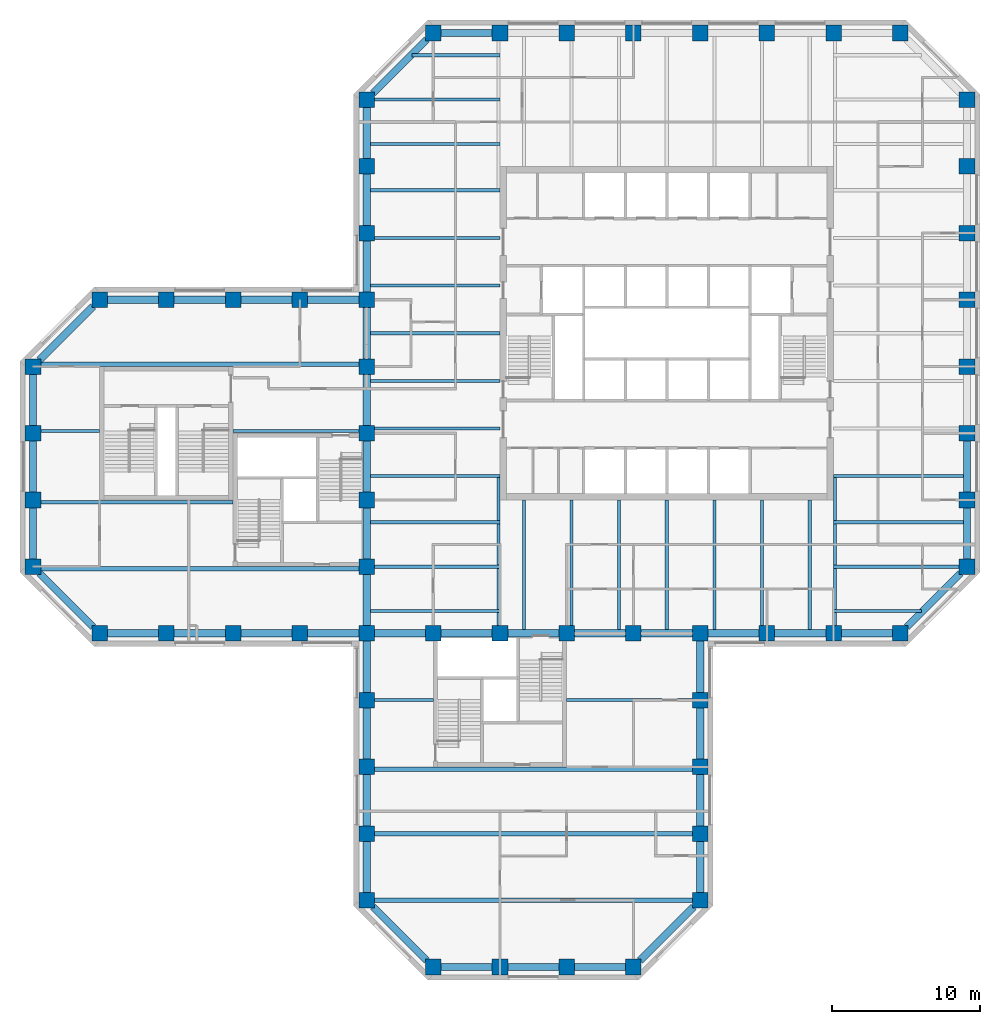
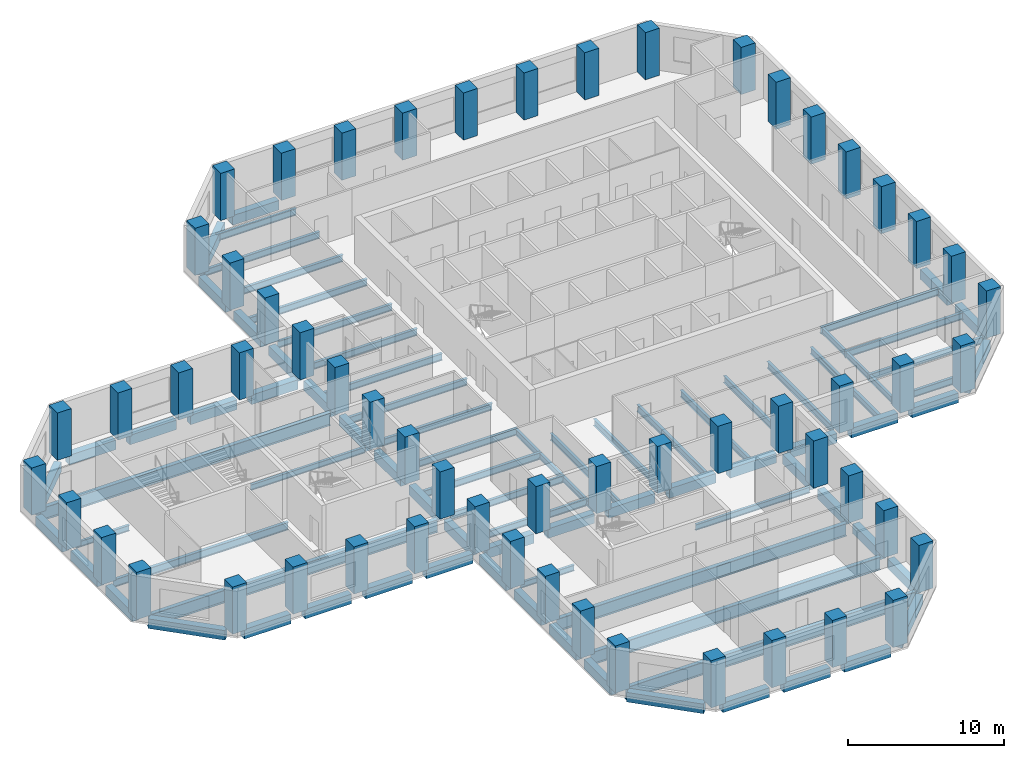
# One storey, part 1 of 11: 83 beams, 57 columns.
"""IFC4 building model written with IfcOpenShell, lengths in metres."""

from ifc_helpers import new_model, si_unit, direction, frame, origin, origin_2d, place, context, subcontext, project, spatial, rectangle, i_section, extrude, material, material_profile, profile_set, type_object, element, save


model = new_model("IFC4")

# Units and contexts
model_context = context("Model", 3, precision=1e-05, world=origin(), true_north=direction((0.0, 1.0)))
body_context = subcontext(model_context, "Body", "Model", "MODEL_VIEW")
ifc_project = project(units=[si_unit("LENGTHUNIT", "METRE"), si_unit("AREAUNIT", "SQUARE_METRE"), si_unit("VOLUMEUNIT", "CUBIC_METRE"), si_unit("PLANEANGLEUNIT", "RADIAN"), si_unit("MASSUNIT", "GRAM", prefix="KILO")], contexts=[model_context])

# Site, building, storey
site_placement = place(None, origin())
site = spatial("IfcSite", under=ifc_project, at=site_placement, CompositionType="ELEMENT")
building_placement = place(site_placement, origin())
building = spatial("IfcBuilding", under=site, at=building_placement, Name="Quoin Convention Tower", CompositionType="ELEMENT")
storey_placement = place(building_placement, frame((0.0, 0.0, 101.10009765625)))
storey = spatial("IfcBuildingStorey", under=building, at=storey_placement, Name="L26", CompositionType="ELEMENT", Elevation=101.10009765625)

# Columns
ifc_material_1 = material(Name="Concrete C65", Category="concrete")
ifc_material_profile_1 = material_profile(ifc_material_1, rectangle(XDim=1.050048828125, YDim=1.050048828125, at=origin_2d()), Name="RC 1050x1050")
ifc_profile_set_1 = profile_set([ifc_material_profile_1], Name="Concrete C65")
column_type = type_object("IfcColumnType", Name="RC 1050x1050 C65", PredefinedType="COLUMN", material=ifc_profile_set_1)
for number, where, z_axis, x_axis, name in (
    (1, (40.5, 18.0, 0.0), (0.0, 0.0, 1.0), (1.0, 0.0, 0.0), "col-L26-40500_18000"),
    (2, (45.0, 18.0, 0.0), (0.0, 0.0, 1.0), (1.0, 0.0, 0.0), "col-L26-45000_18000"),
    (3, (49.5, 18.0, 0.0), (0.0, 0.0, 1.0), (1.0, 0.0, 0.0), "col-L26-49500_18000"),
    (4, (54.0, 18.0, 0.0), (0.0, 0.0, 1.0), (1.0, 0.0, 0.0), "col-L26-54000_18000"),
    (5, (36.0, 22.5, 0.0), (0.0, 0.0, 1.0), (1.0, 0.0, 0.0), "col-L26-36000_22500"),
    (6, (58.5, 22.5, 0.0), (0.0, 0.0, 1.0), (1.0, 0.0, 0.0), "col-L26-58500_22500"),
    (7, (36.0, 27.0, 0.0), (0.0, 0.0, 1.0), (1.0, 0.0, 0.0), "col-L26-36000_27000"),
    (8, (58.5, 27.0, 0.0), (0.0, 0.0, 1.0), (1.0, 0.0, 0.0), "col-L26-58500_27000"),
    (9, (36.0, 31.5, 0.0), (0.0, 0.0, 1.0), (1.0, 0.0, 0.0), "col-L26-36000_31500"),
    (10, (58.5, 31.5, 0.0), (0.0, 0.0, 1.0), (1.0, 0.0, 0.0), "col-L26-58500_31500"),
    (11, (36.0, 36.0, 0.0), (0.0, 0.0, 1.0), (1.0, 0.0, 0.0), "col-L26-36000_36000"),
    (12, (58.5, 36.0, 0.0), (0.0, 0.0, 1.0), (1.0, 0.0, 0.0), "col-L26-58500_36000"),
    (13, (18.0, 40.5, 0.0), (0.0, 0.0, 1.0), (1.0, 0.0, 0.0), "col-L26-18000_40500"),
    (14, (22.5, 40.5, 0.0), (0.0, 0.0, 1.0), (1.0, 0.0, 0.0), "col-L26-22500_40500"),
    (15, (27.0, 40.5, 0.0), (0.0, 0.0, 1.0), (1.0, 0.0, 0.0), "col-L26-27000_40500"),
    (16, (31.5, 40.5, 0.0), (0.0, 0.0, 1.0), (1.0, 0.0, 0.0), "col-L26-31500_40500"),
    (17, (36.0, 40.5, 0.0), (0.0, 0.0, 1.0), (1.0, 0.0, 0.0), "col-L26-36000_40500"),
    (18, (40.5, 40.5, 0.0), (0.0, 0.0, 1.0), (1.0, 0.0, 0.0), "web-L26-40500_40500"),
    (19, (45.0, 40.5, 0.0), (0.0, 0.0, 1.0), (1.0, 0.0, 0.0), "web-L26-45000_40500"),
    (20, (49.5, 40.5, 0.0), (0.0, 0.0, 1.0), (1.0, 0.0, 0.0), "web-L26-49500_40500"),
    (21, (54.0, 40.5, 0.0), (0.0, 0.0, 1.0), (1.0, 0.0, 0.0), "web-L26-54000_40500"),
    (22, (58.5, 40.5, 0.0), (0.0, 0.0, 1.0), (1.0, 0.0, 0.0), "col-L26-58500_40500"),
    (23, (63.0, 40.5, 0.0), (0.0, 0.0, 1.0), (1.0, 0.0, 0.0), "col-L26-63000_40500"),
    (24, (67.5, 40.5, 0.0), (0.0, 0.0, 1.0), (1.0, 0.0, 0.0), "col-L26-67500_40500"),
    (25, (72.0, 40.5, 0.0), (0.0, 0.0, 1.0), (1.0, 0.0, 0.0), "col-L26-72000_40500"),
    (26, (13.5, 45.0, 0.0), (0.0, 0.0, 1.0), (1.0, 0.0, 0.0), "col-L26-13500_45000"),
    (27, (36.0, 45.0, 0.0), (0.0, 0.0, 1.0), (1.0, 0.0, 0.0), "web-L26-36000_45000"),
    (28, (76.5, 45.0, 0.0), (0.0, 0.0, 1.0), (1.0, 0.0, 0.0), "col-L26-76500_45000"),
    (29, (13.5, 49.5, 0.0), (0.0, 0.0, 1.0), (1.0, 0.0, 0.0), "col-L26-13500_49500"),
    (30, (36.0, 49.5, 0.0), (0.0, 0.0, 1.0), (1.0, 0.0, 0.0), "web-L26-36000_49500"),
    (31, (76.5, 49.5, 0.0), (0.0, 0.0, 1.0), (1.0, 0.0, 0.0), "col-L26-76500_49500"),
    (32, (13.5, 54.0, 0.0), (0.0, 0.0, 1.0), (1.0, 0.0, 0.0), "col-L26-13500_54000"),
    (33, (36.0, 54.0, 0.0), (0.0, 0.0, 1.0), (1.0, 0.0, 0.0), "web-L26-36000_54000"),
    (34, (76.5, 54.0, 0.0), (0.0, 0.0, 1.0), (1.0, 0.0, 0.0), "col-L26-76500_54000"),
    (35, (13.5, 58.5, 0.0), (0.0, 0.0, 1.0), (1.0, 0.0, 0.0), "col-L26-13500_58500"),
    (36, (36.0, 58.5, 0.0), (0.0, 0.0, 1.0), (1.0, 0.0, 0.0), "web-L26-36000_58500"),
    (37, (76.5, 58.5, 0.0), (0.0, 0.0, 1.0), (1.0, 0.0, 0.0), "col-L26-76500_58500"),
    (38, (18.0, 63.0, 0.0), (0.0, 0.0, 1.0), (1.0, 0.0, 0.0), "col-L26-18000_63000"),
    (39, (22.5, 63.0, 0.0), (0.0, 0.0, 1.0), (1.0, 0.0, 0.0), "col-L26-22500_63000"),
    (40, (27.0, 63.0, 0.0), (0.0, 0.0, 1.0), (1.0, 0.0, 0.0), "col-L26-27000_63000"),
    (41, (31.5, 63.0, 0.0), (0.0, 0.0, 1.0), (1.0, 0.0, 0.0), "col-L26-31500_63000"),
    (42, (36.0, 63.0, 0.0), (0.0, 0.0, 1.0), (1.0, 0.0, 0.0), "col-L26-36000_63000"),
    (43, (76.5, 63.0, 0.0), (0.0, 0.0, 1.0), (1.0, 0.0, 0.0), "col-L26-76500_63000"),
    (44, (36.0, 67.5, 0.0), (0.0, 0.0, 1.0), (1.0, 0.0, 0.0), "col-L26-36000_67500"),
    (45, (76.5, 67.5, 0.0), (0.0, 0.0, 1.0), (1.0, 0.0, 0.0), "col-L26-76500_67500"),
    (46, (36.0, 72.0, 0.0), (0.0, 0.0, 1.0), (1.0, 0.0, 0.0), "col-L26-36000_72000"),
    (47, (76.5, 72.0, 0.0), (0.0, 0.0, 1.0), (1.0, 0.0, 0.0), "col-L26-76500_72000"),
    (48, (36.0, 76.5, 0.0), (0.0, 0.0, 1.0), (1.0, 0.0, 0.0), "col-L26-36000_76500"),
    (49, (76.5, 76.5, 0.0), (0.0, 0.0, 1.0), (1.0, 0.0, 0.0), "col-L26-76500_76500"),
    (50, (40.5, 81.0, 0.0), (0.0, 0.0, 1.0), (1.0, 0.0, 0.0), "col-L26-40500_81000"),
    (51, (45.0, 81.0, 0.0), (0.0, 0.0, 1.0), (1.0, 0.0, 0.0), "col-L26-45000_81000"),
    (52, (49.5, 81.0, 0.0), (0.0, 0.0, 1.0), (1.0, 0.0, 0.0), "col-L26-49500_81000"),
    (53, (54.0, 81.0, 0.0), (0.0, 0.0, 1.0), (1.0, 0.0, 0.0), "col-L26-54000_81000"),
    (54, (58.5, 81.0, 0.0), (0.0, 0.0, 1.0), (1.0, 0.0, 0.0), "col-L26-58500_81000"),
    (55, (63.0, 81.0, 0.0), (0.0, 0.0, 1.0), (1.0, 0.0, 0.0), "col-L26-63000_81000"),
    (56, (67.5, 81.0, 0.0), (0.0, 0.0, 1.0), (1.0, 0.0, 0.0), "col-L26-67500_81000"),
    (57, (72.0, 81.0, 0.0), (0.0, 0.0, 1.0), (1.0, 0.0, 0.0), "col-L26-72000_81000"),
):
    element("IfcColumn", number, at=place(storey_placement, frame(where, z_axis=z_axis, x_axis=x_axis)), inside=storey, type_object=column_type, Name=name, PredefinedType="COLUMN", context=body_context, shape_type="SweptSolid", body=[
        extrude(rectangle(XDim=1.050048828125, YDim=1.050048828125, at=origin_2d()), origin(), (0.0, 0.0, 1.0), 3.699951171875),
    ])

# Beams
ifc_material_2 = material(Name="Steel Grade 300", Category="steel")
ifc_material_profile_2 = material_profile(ifc_material_2, i_section(OverallWidth=0.300048828125, OverallDepth=1.0, WebThickness=0.01611328125, FlangeThickness=0.02001953125, at=origin_2d()), Name="1000WB215")
ifc_profile_set_2 = profile_set([ifc_material_profile_2], Name="Steel Grade 300")
beam_type_1 = type_object("IfcBeamType", Name="1000WB215", PredefinedType="BEAM", material=ifc_profile_set_2)
for number, where, z_axis, x_axis, name in (
    (58, (36.52490234375, 22.5, -0.650146484375), (1.0, 0.0, 0.0), (0.0, 1.0, 0.0), "gir-L26-ST3-1-0"),
    (59, (36.52490234375, 27.0, -0.650146484375), (1.0, 0.0, 0.0), (0.0, 1.0, 0.0), "gir-L26-ST3-2-0"),
    (60, (36.52490234375, 31.35009765625, -0.650146484375), (1.0, 0.0, 0.0), (0.0, 1.0, 0.0), "gir-L26-ST3-3-0"),
    (61, (14.02490234375, 44.85009765625, -0.650146484375), (1.0, 0.0, 0.0), (0.0, 1.0, 0.0), "gir-L26-ST2-1-0"),
    (62, (14.02490234375, 58.64990234375, -0.650146484375), (1.0, 0.0, 0.0), (0.0, 1.0, 0.0), "gir-L26-ST2-4-0"),
):
    element("IfcBeam", number, at=place(storey_placement, frame(where, z_axis=z_axis, x_axis=x_axis)), inside=storey, type_object=beam_type_1, Name=name, PredefinedType="BEAM", context=body_context, shape_type="SweptSolid", body=[
        extrude(i_section(OverallWidth=0.300048828125, OverallDepth=1.0, WebThickness=0.01611328125, FlangeThickness=0.02001953125, at=origin_2d()), origin(), (0.0, 0.0, 1.0), 21.4501953125),
    ])
ifc_material_profile_3 = material_profile(ifc_material_2, i_section(OverallWidth=0.18994140625, OverallDepth=0.4541015625, WebThickness=0.008544921875, FlangeThickness=0.0126953125, FilletRadius=0.011474609375, at=origin_2d()), Name="460UB67.1")
ifc_profile_set_3 = profile_set([ifc_material_profile_3], Name="Steel Grade 300")
beam_type_2 = type_object("IfcBeamType", Name="460UB67.1", PredefinedType="BEAM", material=ifc_profile_set_3)
for number, where, z_axis, x_axis, name in (
    (63, (44.8955078125, 41.02490234375, -0.377197265625), (0.0, 1.0, 0.0), (-1.0, 0.0, 0.0), "gir-L26-T1SW"),
    (64, (67.6044921875, 41.02490234375, -0.377197265625), (0.0, 1.0, 0.0), (-1.0, 0.0, 0.0), "gir-L26-T1SE"),
):
    element("IfcBeam", number, at=place(storey_placement, frame(where, z_axis=z_axis, x_axis=x_axis)), inside=storey, type_object=beam_type_2, Name=name, PredefinedType="BEAM", context=body_context, shape_type="SweptSolid", body=[
        extrude(i_section(OverallWidth=0.18994140625, OverallDepth=0.4541015625, WebThickness=0.008544921875, FlangeThickness=0.0126953125, FilletRadius=0.011474609375, at=origin_2d()), origin(), (0.0, 0.0, 1.0), 9.977783203125),
    ])
beam_1_placement = place(storey_placement, frame((36.52490234375, 36.0, -0.377197265625), z_axis=(1.0, 0.0, 0.0), x_axis=(0.0, 1.0, 0.0)))
element("IfcBeam", 65, at=beam_1_placement, inside=storey, type_object=beam_type_2, Name="gir-L26-ST3-4-0", PredefinedType="BEAM", context=body_context, shape_type="SweptSolid", body=[
    extrude(i_section(OverallWidth=0.18994140625, OverallDepth=0.4541015625, WebThickness=0.008544921875, FlangeThickness=0.0126953125, FilletRadius=0.011474609375, at=origin_2d()), origin(), (0.0, 0.0, 1.0), 3.97509765625),
])
beam_2_placement = place(storey_placement, frame((49.5, 36.0, -0.377197265625), z_axis=(1.0, 0.0, 0.0), x_axis=(0.0, 1.0, 0.0)))
element("IfcBeam", 66, at=beam_2_placement, inside=storey, type_object=beam_type_2, Name="gir-L26-ST3-4-1", PredefinedType="BEAM", context=body_context, shape_type="SweptSolid", body=[
    extrude(i_section(OverallWidth=0.18994140625, OverallDepth=0.4541015625, WebThickness=0.008544921875, FlangeThickness=0.0126953125, FilletRadius=0.011474609375, at=origin_2d()), origin(), (0.0, 0.0, 1.0), 8.47509765625),
])
beam_3_placement = place(storey_placement, frame((14.02490234375, 54.14990234375, -0.377197265625), z_axis=(1.0, 0.0, 0.0), x_axis=(0.0, 1.0, 0.0)))
element("IfcBeam", 67, at=beam_3_placement, inside=storey, type_object=beam_type_2, Name="gir-L26-ST2-3-0", PredefinedType="BEAM", context=body_context, shape_type="SweptSolid", body=[
    extrude(i_section(OverallWidth=0.18994140625, OverallDepth=0.4541015625, WebThickness=0.008544921875, FlangeThickness=0.0126953125, FilletRadius=0.011474609375, at=origin_2d()), origin(), (0.0, 0.0, 1.0), 3.97509765625),
])
beam_4_placement = place(storey_placement, frame((27.0, 54.14990234375, -0.377197265625), z_axis=(1.0, 0.0, 0.0), x_axis=(0.0, 1.0, 0.0)))
element("IfcBeam", 68, at=beam_4_placement, inside=storey, type_object=beam_type_2, Name="gir-L26-ST2-3-1", PredefinedType="BEAM", context=body_context, shape_type="SweptSolid", body=[
    extrude(i_section(OverallWidth=0.18994140625, OverallDepth=0.4541015625, WebThickness=0.008544921875, FlangeThickness=0.0126953125, FilletRadius=0.011474609375, at=origin_2d()), origin(), (0.0, 0.0, 1.0), 8.47509765625),
])
ifc_material_profile_4 = material_profile(ifc_material_2, i_section(OverallWidth=0.208984375, OverallDepth=0.528076171875, WebThickness=0.009521484375, FlangeThickness=0.01318359375, FilletRadius=0.013916015625, at=origin_2d()), Name="530UB82.0")
ifc_profile_set_4 = profile_set([ifc_material_profile_4], Name="Steel Grade 300")
beam_type_3 = type_object("IfcBeamType", Name="530UB82.0", PredefinedType="BEAM", material=ifc_profile_set_4)
beam_5_placement = place(storey_placement, frame((36.25, 51.107177734375, -0.4140625), z_axis=(1.0, 0.0, 0.0), x_axis=(0.0, 1.0, 0.0)))
element("IfcBeam", 69, at=beam_5_placement, inside=storey, type_object=beam_type_3, Name="bm-L26-T1W0", PredefinedType="BEAM", context=body_context, shape_type="SweptSolid", body=[
    extrude(i_section(OverallWidth=0.208984375, OverallDepth=0.528076171875, WebThickness=0.009521484375, FlangeThickness=0.01318359375, FilletRadius=0.013916015625, at=origin_2d()), origin(), (0.0, 0.0, 1.0), 8.75),
])
beam_6_placement = place(storey_placement, frame((36.52490234375, 54.3212890625, -0.4140625), z_axis=(1.0, 0.0, 0.0), x_axis=(0.0, 1.0, 0.0)))
element("IfcBeam", 70, at=beam_6_placement, inside=storey, type_object=beam_type_3, Name="bm-L26-T1W1", PredefinedType="BEAM", context=body_context, shape_type="SweptSolid", body=[
    extrude(i_section(OverallWidth=0.208984375, OverallDepth=0.528076171875, WebThickness=0.009521484375, FlangeThickness=0.01318359375, FilletRadius=0.013916015625, at=origin_2d()), origin(), (0.0, 0.0, 1.0), 8.47509765625),
])
for number, where, z_axis, x_axis, name in (
    (71, (36.25, 57.53564453125, -0.4140625), (1.0, 0.0, 0.0), (0.0, 1.0, 0.0), "bm-L26-T1W2"),
    (72, (36.25, 60.75, -0.4140625), (1.0, 0.0, 0.0), (0.0, 1.0, 0.0), "bm-L26-T1W3"),
    (73, (36.25, 63.96435546875, -0.4140625), (1.0, 0.0, 0.0), (0.0, 1.0, 0.0), "bm-L26-T1W4"),
):
    element("IfcBeam", number, at=place(storey_placement, frame(where, z_axis=z_axis, x_axis=x_axis)), inside=storey, type_object=beam_type_3, Name=name, PredefinedType="BEAM", context=body_context, shape_type="SweptSolid", body=[
        extrude(i_section(OverallWidth=0.208984375, OverallDepth=0.528076171875, WebThickness=0.009521484375, FlangeThickness=0.01318359375, FilletRadius=0.013916015625, at=origin_2d()), origin(), (0.0, 0.0, 1.0), 8.75),
    ])
beam_7_placement = place(storey_placement, frame((36.52490234375, 67.1787109375, -0.4140625), z_axis=(1.0, 0.0, 0.0), x_axis=(0.0, 1.0, 0.0)))
element("IfcBeam", 74, at=beam_7_placement, inside=storey, type_object=beam_type_3, Name="bm-L26-T1W5", PredefinedType="BEAM", context=body_context, shape_type="SweptSolid", body=[
    extrude(i_section(OverallWidth=0.208984375, OverallDepth=0.528076171875, WebThickness=0.009521484375, FlangeThickness=0.01318359375, FilletRadius=0.013916015625, at=origin_2d()), origin(), (0.0, 0.0, 1.0), 8.47509765625),
])
for number, where, z_axis, x_axis, name in (
    (75, (36.25, 70.392822265625, -0.4140625), (1.0, 0.0, 0.0), (0.0, 1.0, 0.0), "bm-L26-T1W6"),
    (76, (67.5, 51.107177734375, -0.4140625), (1.0, 0.0, 0.0), (0.0, 1.0, 0.0), "bm-L26-T1E0"),
    (77, (46.607177734375, 40.75, -0.4140625), (0.0, 1.0, 0.0), (-1.0, 0.0, 0.0), "bm-L26-T1S0"),
):
    element("IfcBeam", number, at=place(storey_placement, frame(where, z_axis=z_axis, x_axis=x_axis)), inside=storey, type_object=beam_type_3, Name=name, PredefinedType="BEAM", context=body_context, shape_type="SweptSolid", body=[
        extrude(i_section(OverallWidth=0.208984375, OverallDepth=0.528076171875, WebThickness=0.009521484375, FlangeThickness=0.01318359375, FilletRadius=0.013916015625, at=origin_2d()), origin(), (0.0, 0.0, 1.0), 8.75),
    ])
beam_8_placement = place(storey_placement, frame((49.8212890625, 41.02490234375, -0.4140625), z_axis=(0.0, 1.0, 0.0), x_axis=(-1.0, 0.0, 0.0)))
element("IfcBeam", 78, at=beam_8_placement, inside=storey, type_object=beam_type_3, Name="bm-L26-T1S1", PredefinedType="BEAM", context=body_context, shape_type="SweptSolid", body=[
    extrude(i_section(OverallWidth=0.208984375, OverallDepth=0.528076171875, WebThickness=0.009521484375, FlangeThickness=0.01318359375, FilletRadius=0.013916015625, at=origin_2d()), origin(), (0.0, 0.0, 1.0), 8.47509765625),
])
for number, where, z_axis, x_axis, name in (
    (79, (53.03564453125, 40.75, -0.4140625), (0.0, 1.0, 0.0), (-1.0, 0.0, 0.0), "bm-L26-T1S2"),
    (80, (56.25, 40.75, -0.4140625), (0.0, 1.0, 0.0), (-1.0, 0.0, 0.0), "bm-L26-T1S3"),
    (81, (59.46435546875, 40.75, -0.4140625), (0.0, 1.0, 0.0), (-1.0, 0.0, 0.0), "bm-L26-T1S4"),
):
    element("IfcBeam", number, at=place(storey_placement, frame(where, z_axis=z_axis, x_axis=x_axis)), inside=storey, type_object=beam_type_3, Name=name, PredefinedType="BEAM", context=body_context, shape_type="SweptSolid", body=[
        extrude(i_section(OverallWidth=0.208984375, OverallDepth=0.528076171875, WebThickness=0.009521484375, FlangeThickness=0.01318359375, FilletRadius=0.013916015625, at=origin_2d()), origin(), (0.0, 0.0, 1.0), 8.75),
    ])
beam_9_placement = place(storey_placement, frame((62.6787109375, 41.02490234375, -0.4140625), z_axis=(0.0, 1.0, 0.0), x_axis=(-1.0, 0.0, 0.0)))
element("IfcBeam", 82, at=beam_9_placement, inside=storey, type_object=beam_type_3, Name="bm-L26-T1S5", PredefinedType="BEAM", context=body_context, shape_type="SweptSolid", body=[
    extrude(i_section(OverallWidth=0.208984375, OverallDepth=0.528076171875, WebThickness=0.009521484375, FlangeThickness=0.01318359375, FilletRadius=0.013916015625, at=origin_2d()), origin(), (0.0, 0.0, 1.0), 8.47509765625),
])
for number, where, z_axis, x_axis, name in (
    (83, (65.892822265625, 40.75, -0.4140625), (0.0, 1.0, 0.0), (-1.0, 0.0, 0.0), "bm-L26-T1S6"),
    (84, (36.25, 42.0, -0.4140625), (1.0, 0.0, 0.0), (0.0, 1.0, 0.0), "bm-L26-T1SW0"),
):
    element("IfcBeam", number, at=place(storey_placement, frame(where, z_axis=z_axis, x_axis=x_axis)), inside=storey, type_object=beam_type_3, Name=name, PredefinedType="BEAM", context=body_context, shape_type="SweptSolid", body=[
        extrude(i_section(OverallWidth=0.208984375, OverallDepth=0.528076171875, WebThickness=0.009521484375, FlangeThickness=0.01318359375, FilletRadius=0.013916015625, at=origin_2d()), origin(), (0.0, 0.0, 1.0), 8.75),
    ])
beam_10_placement = place(storey_placement, frame((36.52490234375, 45.0, -0.4140625), z_axis=(1.0, 0.0, 0.0), x_axis=(0.0, 1.0, 0.0)))
element("IfcBeam", 85, at=beam_10_placement, inside=storey, type_object=beam_type_3, Name="bm-L26-T1SW1", PredefinedType="BEAM", context=body_context, shape_type="SweptSolid", body=[
    extrude(i_section(OverallWidth=0.208984375, OverallDepth=0.528076171875, WebThickness=0.009521484375, FlangeThickness=0.01318359375, FilletRadius=0.013916015625, at=origin_2d()), origin(), (0.0, 0.0, 1.0), 8.47509765625),
])
beam_11_placement = place(storey_placement, frame((36.25, 48.0, -0.4140625), z_axis=(1.0, 0.0, 0.0), x_axis=(0.0, 1.0, 0.0)))
element("IfcBeam", 86, at=beam_11_placement, inside=storey, type_object=beam_type_3, Name="bm-L26-T1SW2", PredefinedType="BEAM", context=body_context, shape_type="SweptSolid", body=[
    extrude(i_section(OverallWidth=0.208984375, OverallDepth=0.528076171875, WebThickness=0.009521484375, FlangeThickness=0.01318359375, FilletRadius=0.013916015625, at=origin_2d()), origin(), (0.0, 0.0, 1.0), 8.75),
])
beam_12_placement = place(storey_placement, frame((67.5, 42.0, -0.4140625), z_axis=(1.0, 0.0, 0.0), x_axis=(0.0, 1.0, 0.0)))
element("IfcBeam", 87, at=beam_12_placement, inside=storey, type_object=beam_type_3, Name="bm-L26-T1SE0", PredefinedType="BEAM", context=body_context, shape_type="SweptSolid", body=[
    extrude(i_section(OverallWidth=0.208984375, OverallDepth=0.528076171875, WebThickness=0.009521484375, FlangeThickness=0.01318359375, FilletRadius=0.013916015625, at=origin_2d()), origin(), (0.0, 0.0, 1.0), 5.927734375),
])
beam_13_placement = place(storey_placement, frame((67.5, 45.0, -0.4140625), z_axis=(1.0, 0.0, 0.0), x_axis=(0.0, 1.0, 0.0)))
element("IfcBeam", 88, at=beam_13_placement, inside=storey, type_object=beam_type_3, Name="bm-L26-T1SE1", PredefinedType="BEAM", context=body_context, shape_type="SweptSolid", body=[
    extrude(i_section(OverallWidth=0.208984375, OverallDepth=0.528076171875, WebThickness=0.009521484375, FlangeThickness=0.01318359375, FilletRadius=0.013916015625, at=origin_2d()), origin(), (0.0, 0.0, 1.0), 8.47509765625),
])
beam_14_placement = place(storey_placement, frame((67.5, 48.0, -0.4140625), z_axis=(1.0, 0.0, 0.0), x_axis=(0.0, 1.0, 0.0)))
element("IfcBeam", 89, at=beam_14_placement, inside=storey, type_object=beam_type_3, Name="bm-L26-T1SE2", PredefinedType="BEAM", context=body_context, shape_type="SweptSolid", body=[
    extrude(i_section(OverallWidth=0.208984375, OverallDepth=0.528076171875, WebThickness=0.009521484375, FlangeThickness=0.01318359375, FilletRadius=0.013916015625, at=origin_2d()), origin(), (0.0, 0.0, 1.0), 8.75),
])
beam_15_placement = place(storey_placement, frame((39.072265625, 79.5, -0.4140625), z_axis=(1.0, 0.0, 0.0), x_axis=(0.0, 1.0, 0.0)))
element("IfcBeam", 90, at=beam_15_placement, inside=storey, type_object=beam_type_3, Name="bm-L26-T1NW0", PredefinedType="BEAM", context=body_context, shape_type="SweptSolid", body=[
    extrude(i_section(OverallWidth=0.208984375, OverallDepth=0.528076171875, WebThickness=0.009521484375, FlangeThickness=0.01318359375, FilletRadius=0.013916015625, at=origin_2d()), origin(), (0.0, 0.0, 1.0), 5.927734375),
])
beam_16_placement = place(storey_placement, frame((36.52490234375, 76.5, -0.4140625), z_axis=(1.0, 0.0, 0.0), x_axis=(0.0, 1.0, 0.0)))
element("IfcBeam", 91, at=beam_16_placement, inside=storey, type_object=beam_type_3, Name="bm-L26-T1NW1", PredefinedType="BEAM", context=body_context, shape_type="SweptSolid", body=[
    extrude(i_section(OverallWidth=0.208984375, OverallDepth=0.528076171875, WebThickness=0.009521484375, FlangeThickness=0.01318359375, FilletRadius=0.013916015625, at=origin_2d()), origin(), (0.0, 0.0, 1.0), 8.47509765625),
])
beam_17_placement = place(storey_placement, frame((36.25, 73.5, -0.4140625), z_axis=(1.0, 0.0, 0.0), x_axis=(0.0, 1.0, 0.0)))
element("IfcBeam", 92, at=beam_17_placement, inside=storey, type_object=beam_type_3, Name="bm-L26-T1NW2", PredefinedType="BEAM", context=body_context, shape_type="SweptSolid", body=[
    extrude(i_section(OverallWidth=0.208984375, OverallDepth=0.528076171875, WebThickness=0.009521484375, FlangeThickness=0.01318359375, FilletRadius=0.013916015625, at=origin_2d()), origin(), (0.0, 0.0, 1.0), 8.75),
])
ifc_material_profile_5 = material_profile(ifc_material_2, i_section(OverallWidth=0.22802734375, OverallDepth=0.60205078125, WebThickness=0.010498046875, FlangeThickness=0.014892578125, FilletRadius=0.013916015625, at=origin_2d()), Name="610UB101")
ifc_profile_set_5 = profile_set([ifc_material_profile_5], Name="Steel Grade 300")
beam_type_4 = type_object("IfcBeamType", Name="610UB101", PredefinedType="BEAM", material=ifc_profile_set_5)
beam_18_placement = place(storey_placement, frame((14.02490234375, 49.35009765625, -0.451171875), z_axis=(1.0, 0.0, 0.0), x_axis=(0.0, 1.0, 0.0)))
element("IfcBeam", 93, at=beam_18_placement, inside=storey, type_object=beam_type_4, Name="gir-L26-ST2-2-0", PredefinedType="BEAM", context=body_context, shape_type="SweptSolid", body=[
    extrude(i_section(OverallWidth=0.22802734375, OverallDepth=0.60205078125, WebThickness=0.010498046875, FlangeThickness=0.014892578125, FilletRadius=0.013916015625, at=origin_2d()), origin(), (0.0, 0.0, 1.0), 12.97509765625),
])
ifc_material_profile_6 = material_profile(ifc_material_1, rectangle(XDim=0.5, YDim=0.75, at=origin_2d()), Name="RC 500x750")
ifc_profile_set_6 = profile_set([ifc_material_profile_6], Name="Concrete C65")
beam_type_5 = type_object("IfcBeamType", Name="RC 500x750 C65", PredefinedType="SPANDREL", material=ifc_profile_set_6)
for number, where, z_axis, x_axis, name in (
    (94, (59.02490234375, 40.5, -0.525146484375), (1.0, 0.0, 0.0), (0.0, 1.0, 0.0), "spd-L26-58500_40500-63000_40500"),
    (95, (63.52490234375, 40.5, -0.525146484375), (1.0, 0.0, 0.0), (0.0, 1.0, 0.0), "spd-L26-63000_40500-67500_40500"),
    (96, (68.02490234375, 40.5, -0.525146484375), (1.0, 0.0, 0.0), (0.0, 1.0, 0.0), "spd-L26-67500_40500-72000_40500"),
):
    element("IfcBeam", number, at=place(storey_placement, frame(where, z_axis=z_axis, x_axis=x_axis)), inside=storey, type_object=beam_type_5, Name=name, PredefinedType="SPANDREL", context=body_context, shape_type="SweptSolid", body=[
        extrude(rectangle(XDim=0.5, YDim=0.75, at=origin_2d()), origin(), (0.0, 0.0, 1.0), 3.4501953125),
    ])
beam_19_placement = place(storey_placement, frame((72.440185546875, 40.940185546875, -0.525146484375), z_axis=(0.707106781187, 0.707106781187, 0.0), x_axis=(-0.707106781187, 0.707106781187, 0.0)))
element("IfcBeam", 97, at=beam_19_placement, inside=storey, type_object=beam_type_5, Name="spd-L26-72000_40500-76500_45000", PredefinedType="SPANDREL", context=body_context, shape_type="SweptSolid", body=[
    extrude(rectangle(XDim=0.5, YDim=0.75, at=origin_2d()), origin(), (0.0, 0.0, 1.0), 5.118896484375),
])
for number, where, z_axis, x_axis, name in (
    (98, (76.5, 45.52490234375, -0.525146484375), (0.0, 1.0, 0.0), (-1.0, 0.0, 0.0), "spd-L26-76500_45000-76500_49500"),
    (99, (76.5, 50.02490234375, -0.525146484375), (0.0, 1.0, 0.0), (-1.0, 0.0, 0.0), "spd-L26-76500_49500-76500_54000"),
    (100, (44.47509765625, 81.0, -0.525146484375), (-1.0, 0.0, 0.0), (0.0, -1.0, 0.0), "spd-L26-45000_81000-40500_81000"),
):
    element("IfcBeam", number, at=place(storey_placement, frame(where, z_axis=z_axis, x_axis=x_axis)), inside=storey, type_object=beam_type_5, Name=name, PredefinedType="SPANDREL", context=body_context, shape_type="SweptSolid", body=[
        extrude(rectangle(XDim=0.5, YDim=0.75, at=origin_2d()), origin(), (0.0, 0.0, 1.0), 3.4501953125),
    ])
beam_20_placement = place(storey_placement, frame((40.059814453125, 80.559814453125, -0.525146484375), z_axis=(-0.707106781187, -0.707106781187, 0.0), x_axis=(0.707106781187, -0.707106781187, 0.0)))
element("IfcBeam", 101, at=beam_20_placement, inside=storey, type_object=beam_type_5, Name="spd-L26-40500_81000-36000_76500", PredefinedType="SPANDREL", context=body_context, shape_type="SweptSolid", body=[
    extrude(rectangle(XDim=0.5, YDim=0.75, at=origin_2d()), origin(), (0.0, 0.0, 1.0), 5.118896484375),
])
for number, where, z_axis, x_axis, name in (
    (102, (36.0, 75.97509765625, -0.525146484375), (0.0, -1.0, 0.0), (1.0, 0.0, 0.0), "spd-L26-36000_76500-36000_72000"),
    (103, (36.0, 71.47509765625, -0.525146484375), (0.0, -1.0, 0.0), (1.0, 0.0, 0.0), "spd-L26-36000_72000-36000_67500"),
    (104, (36.0, 66.97509765625, -0.525146484375), (0.0, -1.0, 0.0), (1.0, 0.0, 0.0), "spd-L26-36000_67500-36000_63000"),
    (105, (35.47509765625, 63.0, -0.525146484375), (-1.0, 0.0, 0.0), (0.0, -1.0, 0.0), "spd-L26-36000_63000-31500_63000"),
    (106, (30.97509765625, 63.0, -0.525146484375), (-1.0, 0.0, 0.0), (0.0, -1.0, 0.0), "spd-L26-31500_63000-27000_63000"),
    (107, (26.47509765625, 63.0, -0.525146484375), (-1.0, 0.0, 0.0), (0.0, -1.0, 0.0), "spd-L26-27000_63000-22500_63000"),
    (108, (21.97509765625, 63.0, -0.525146484375), (-1.0, 0.0, 0.0), (0.0, -1.0, 0.0), "spd-L26-22500_63000-18000_63000"),
):
    element("IfcBeam", number, at=place(storey_placement, frame(where, z_axis=z_axis, x_axis=x_axis)), inside=storey, type_object=beam_type_5, Name=name, PredefinedType="SPANDREL", context=body_context, shape_type="SweptSolid", body=[
        extrude(rectangle(XDim=0.5, YDim=0.75, at=origin_2d()), origin(), (0.0, 0.0, 1.0), 3.4501953125),
    ])
beam_21_placement = place(storey_placement, frame((17.559814453125, 62.559814453125, -0.525146484375), z_axis=(-0.707106781187, -0.707106781187, 0.0), x_axis=(0.707106781187, -0.707106781187, 0.0)))
element("IfcBeam", 109, at=beam_21_placement, inside=storey, type_object=beam_type_5, Name="spd-L26-18000_63000-13500_58500", PredefinedType="SPANDREL", context=body_context, shape_type="SweptSolid", body=[
    extrude(rectangle(XDim=0.5, YDim=0.75, at=origin_2d()), origin(), (0.0, 0.0, 1.0), 5.118896484375),
])
for number, where, z_axis, x_axis, name in (
    (110, (13.5, 57.97509765625, -0.525146484375), (0.0, -1.0, 0.0), (1.0, 0.0, 0.0), "spd-L26-13500_58500-13500_54000"),
    (111, (13.5, 53.47509765625, -0.525146484375), (0.0, -1.0, 0.0), (1.0, 0.0, 0.0), "spd-L26-13500_54000-13500_49500"),
    (112, (13.5, 48.97509765625, -0.525146484375), (0.0, -1.0, 0.0), (1.0, 0.0, 0.0), "spd-L26-13500_49500-13500_45000"),
):
    element("IfcBeam", number, at=place(storey_placement, frame(where, z_axis=z_axis, x_axis=x_axis)), inside=storey, type_object=beam_type_5, Name=name, PredefinedType="SPANDREL", context=body_context, shape_type="SweptSolid", body=[
        extrude(rectangle(XDim=0.5, YDim=0.75, at=origin_2d()), origin(), (0.0, 0.0, 1.0), 3.4501953125),
    ])
beam_22_placement = place(storey_placement, frame((13.940185546875, 44.559814453125, -0.525146484375), z_axis=(0.707106781187, -0.707106781187, 0.0), x_axis=(0.707106781187, 0.707106781187, 0.0)))
element("IfcBeam", 113, at=beam_22_placement, inside=storey, type_object=beam_type_5, Name="spd-L26-13500_45000-18000_40500", PredefinedType="SPANDREL", context=body_context, shape_type="SweptSolid", body=[
    extrude(rectangle(XDim=0.5, YDim=0.75, at=origin_2d()), origin(), (0.0, 0.0, 1.0), 5.118896484375),
])
for number, where, z_axis, x_axis, name in (
    (114, (18.52490234375, 40.5, -0.525146484375), (1.0, 0.0, 0.0), (0.0, 1.0, 0.0), "spd-L26-18000_40500-22500_40500"),
    (115, (23.02490234375, 40.5, -0.525146484375), (1.0, 0.0, 0.0), (0.0, 1.0, 0.0), "spd-L26-22500_40500-27000_40500"),
    (116, (27.52490234375, 40.5, -0.525146484375), (1.0, 0.0, 0.0), (0.0, 1.0, 0.0), "spd-L26-27000_40500-31500_40500"),
    (117, (32.02490234375, 40.5, -0.525146484375), (1.0, 0.0, 0.0), (0.0, 1.0, 0.0), "spd-L26-31500_40500-36000_40500"),
    (118, (36.0, 39.97509765625, -0.525146484375), (0.0, -1.0, 0.0), (1.0, 0.0, 0.0), "spd-L26-36000_40500-36000_36000"),
    (119, (36.0, 35.47509765625, -0.525146484375), (0.0, -1.0, 0.0), (1.0, 0.0, 0.0), "spd-L26-36000_36000-36000_31500"),
    (120, (36.0, 30.97509765625, -0.525146484375), (0.0, -1.0, 0.0), (1.0, 0.0, 0.0), "spd-L26-36000_31500-36000_27000"),
    (121, (36.0, 26.47509765625, -0.525146484375), (0.0, -1.0, 0.0), (1.0, 0.0, 0.0), "spd-L26-36000_27000-36000_22500"),
):
    element("IfcBeam", number, at=place(storey_placement, frame(where, z_axis=z_axis, x_axis=x_axis)), inside=storey, type_object=beam_type_5, Name=name, PredefinedType="SPANDREL", context=body_context, shape_type="SweptSolid", body=[
        extrude(rectangle(XDim=0.5, YDim=0.75, at=origin_2d()), origin(), (0.0, 0.0, 1.0), 3.4501953125),
    ])
beam_23_placement = place(storey_placement, frame((36.440185546875, 22.059814453125, -0.525146484375), z_axis=(0.707106781187, -0.707106781187, 0.0), x_axis=(0.707106781187, 0.707106781187, 0.0)))
element("IfcBeam", 122, at=beam_23_placement, inside=storey, type_object=beam_type_5, Name="spd-L26-36000_22500-40500_18000", PredefinedType="SPANDREL", context=body_context, shape_type="SweptSolid", body=[
    extrude(rectangle(XDim=0.5, YDim=0.75, at=origin_2d()), origin(), (0.0, 0.0, 1.0), 5.118896484375),
])
for number, where, z_axis, x_axis, name in (
    (123, (41.02490234375, 18.0, -0.525146484375), (1.0, 0.0, 0.0), (0.0, 1.0, 0.0), "spd-L26-40500_18000-45000_18000"),
    (124, (45.52490234375, 18.0, -0.525146484375), (1.0, 0.0, 0.0), (0.0, 1.0, 0.0), "spd-L26-45000_18000-49500_18000"),
    (125, (50.02490234375, 18.0, -0.525146484375), (1.0, 0.0, 0.0), (0.0, 1.0, 0.0), "spd-L26-49500_18000-54000_18000"),
):
    element("IfcBeam", number, at=place(storey_placement, frame(where, z_axis=z_axis, x_axis=x_axis)), inside=storey, type_object=beam_type_5, Name=name, PredefinedType="SPANDREL", context=body_context, shape_type="SweptSolid", body=[
        extrude(rectangle(XDim=0.5, YDim=0.75, at=origin_2d()), origin(), (0.0, 0.0, 1.0), 3.4501953125),
    ])
beam_24_placement = place(storey_placement, frame((54.440185546875, 18.440185546875, -0.525146484375), z_axis=(0.707106781187, 0.707106781187, 0.0), x_axis=(-0.707106781187, 0.707106781187, 0.0)))
element("IfcBeam", 126, at=beam_24_placement, inside=storey, type_object=beam_type_5, Name="spd-L26-54000_18000-58500_22500", PredefinedType="SPANDREL", context=body_context, shape_type="SweptSolid", body=[
    extrude(rectangle(XDim=0.5, YDim=0.75, at=origin_2d()), origin(), (0.0, 0.0, 1.0), 5.118896484375),
])
for number, where, z_axis, x_axis, name in (
    (127, (58.5, 23.02490234375, -0.525146484375), (0.0, 1.0, 0.0), (-1.0, 0.0, 0.0), "spd-L26-58500_22500-58500_27000"),
    (128, (58.5, 27.52490234375, -0.525146484375), (0.0, 1.0, 0.0), (-1.0, 0.0, 0.0), "spd-L26-58500_27000-58500_31500"),
    (129, (58.5, 32.02490234375, -0.525146484375), (0.0, 1.0, 0.0), (-1.0, 0.0, 0.0), "spd-L26-58500_31500-58500_36000"),
    (130, (58.5, 36.52490234375, -0.525146484375), (0.0, 1.0, 0.0), (-1.0, 0.0, 0.0), "spd-L26-58500_36000-58500_40500"),
    (131, (36.52490234375, 40.5, -0.525146484375), (1.0, 0.0, 0.0), (0.0, 1.0, 0.0), "spd-L26-36000_40500-40500_40500"),
    (132, (41.02490234375, 40.5, -0.525146484375), (1.0, 0.0, 0.0), (0.0, 1.0, 0.0), "spd-L26-40500_40500-45000_40500"),
    (133, (45.52490234375, 40.5, -0.525146484375), (1.0, 0.0, 0.0), (0.0, 1.0, 0.0), "spd-L26-45000_40500-49500_40500"),
    (134, (50.02490234375, 40.5, -0.525146484375), (1.0, 0.0, 0.0), (0.0, 1.0, 0.0), "spd-L26-49500_40500-54000_40500"),
    (135, (54.52490234375, 40.5, -0.525146484375), (1.0, 0.0, 0.0), (0.0, 1.0, 0.0), "spd-L26-54000_40500-58500_40500"),
    (136, (36.0, 41.02490234375, -0.525146484375), (0.0, 1.0, 0.0), (-1.0, 0.0, 0.0), "spd-L26-36000_40500-36000_45000"),
    (137, (36.0, 45.52490234375, -0.525146484375), (0.0, 1.0, 0.0), (-1.0, 0.0, 0.0), "spd-L26-36000_45000-36000_49500"),
    (138, (36.0, 50.02490234375, -0.525146484375), (0.0, 1.0, 0.0), (-1.0, 0.0, 0.0), "spd-L26-36000_49500-36000_54000"),
    (139, (36.0, 54.52490234375, -0.525146484375), (0.0, 1.0, 0.0), (-1.0, 0.0, 0.0), "spd-L26-36000_54000-36000_58500"),
    (140, (36.0, 59.02490234375, -0.525146484375), (0.0, 1.0, 0.0), (-1.0, 0.0, 0.0), "spd-L26-36000_58500-36000_63000"),
):
    element("IfcBeam", number, at=place(storey_placement, frame(where, z_axis=z_axis, x_axis=x_axis)), inside=storey, type_object=beam_type_5, Name=name, PredefinedType="SPANDREL", context=body_context, shape_type="SweptSolid", body=[
        extrude(rectangle(XDim=0.5, YDim=0.75, at=origin_2d()), origin(), (0.0, 0.0, 1.0), 3.4501953125),
    ])

save(model, "model.ifc")
